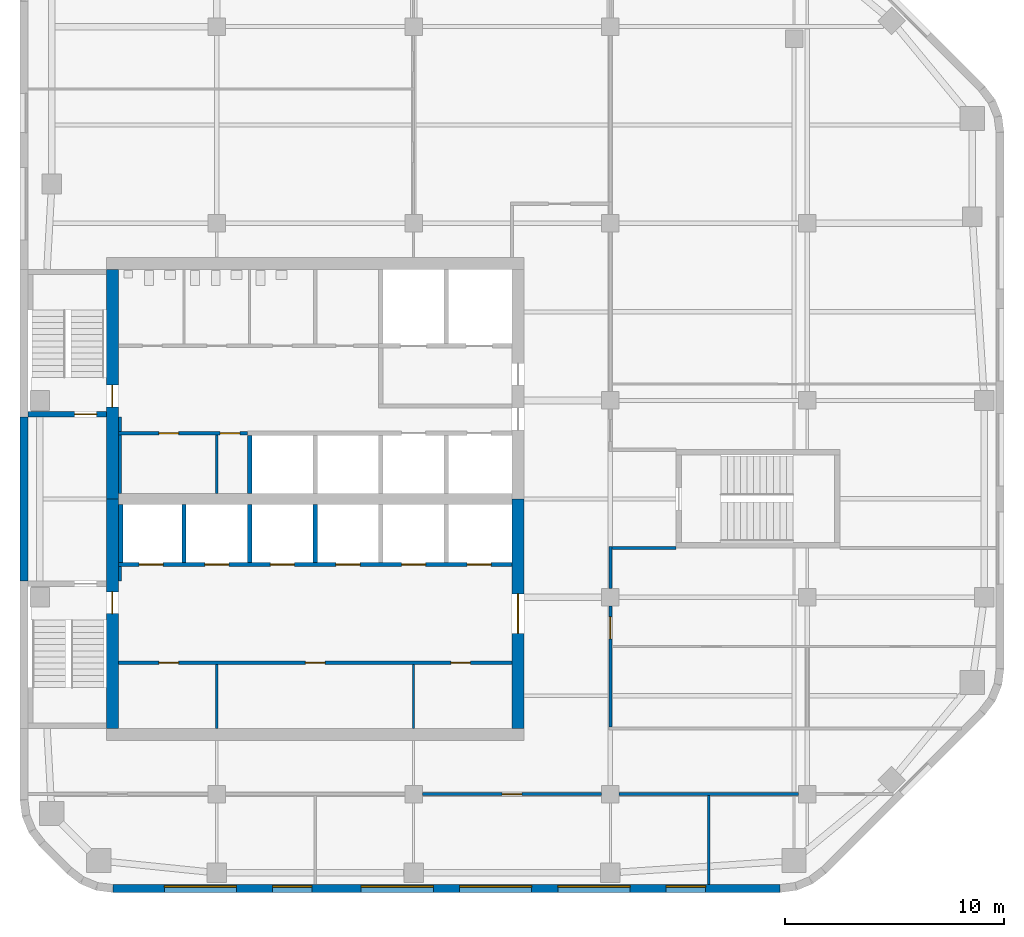
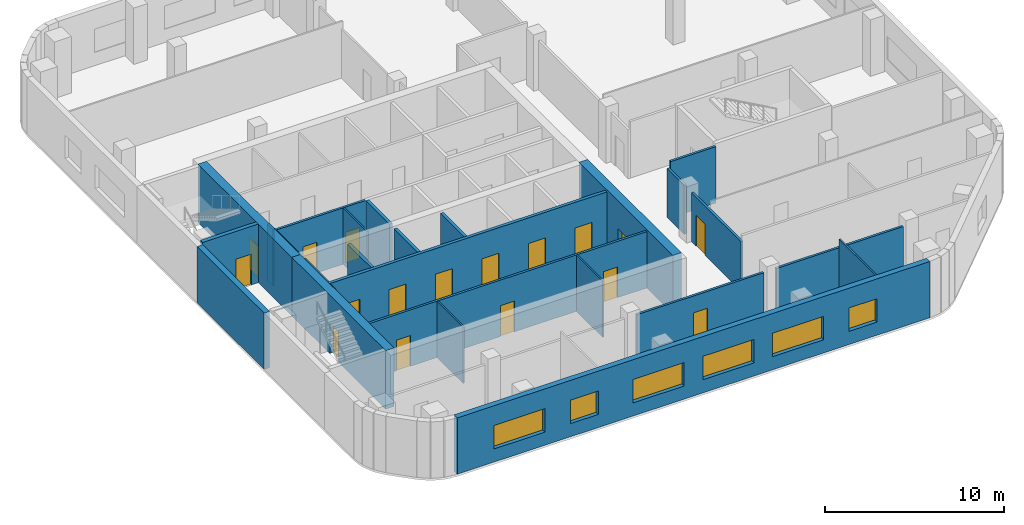
# One storey, part 3 of 7: 26 walls, 17 doors, 6 windows, 23 openings.
"""IFC4 building model written with IfcOpenShell, lengths in metres."""

from ifc_helpers import new_model, si_unit, direction, frame, frame_2d, origin, place, context, subcontext, project, spatial, rectangle, extrude, material, layer, layer_set, type_object, element, fill, save


model = new_model("IFC4")

# Units and contexts
model_context = context("Model", 3, precision=1e-05, world=origin(), true_north=direction((0.0, 1.0)))
body_context = subcontext(model_context, "Body", "Model", "MODEL_VIEW")
ifc_project = project(units=[si_unit("LENGTHUNIT", "METRE"), si_unit("AREAUNIT", "SQUARE_METRE"), si_unit("VOLUMEUNIT", "CUBIC_METRE"), si_unit("PLANEANGLEUNIT", "RADIAN"), si_unit("MASSUNIT", "GRAM", prefix="KILO")], contexts=[model_context])

# Site, building, storey
site_placement = place(None, origin())
site = spatial("IfcSite", under=ifc_project, at=site_placement, CompositionType="ELEMENT")
building_placement = place(site_placement, origin())
building = spatial("IfcBuilding", under=site, at=building_placement, Name="Cinnabar Reach Civic Tower", CompositionType="ELEMENT")
storey_placement = place(building_placement, frame((0.0, 0.0, 218.0)))
storey = spatial("IfcBuildingStorey", under=building, at=storey_placement, Name="L52", CompositionType="ELEMENT", Elevation=218.0)

# Wall, openings, windows
ifc_material_1 = material(Name="Facing brick with insulated backing", Category="masonry")
ifc_layer_1 = layer(ifc_material_1, 0.36)
ifc_layer_set_1 = layer_set([ifc_layer_1], Name="Brick pier and spandrel wall")
wall_type_1 = type_object("IfcWallType", Name="Brick pier and spandrel wall", PredefinedType="STANDARD", material=ifc_layer_set_1)
wall_1_placement = place(storey_placement, frame((4.2426, 13.68, 0.0), z_axis=(0.0, 0.0, 1.0), x_axis=(1.0, 0.0, 0.0)))
wall_1 = element("IfcWall", 1, at=wall_1_placement, inside=storey, type_object=wall_type_1, Name="Brick facade wall", PredefinedType="STANDARD", context=body_context, shape_type="SweptSolid", body=[
    extrude(rectangle(XDim=30.5148, YDim=0.36, at=frame_2d((15.2574, 0.0))), origin(), (0.0, 0.0, 1.0), 3.85),
])
opening_1_placement = place(wall_1_placement, frame((2.3574, 0.0, 0.9)))
opening_1 = element("IfcOpeningElement", 2, at=opening_1_placement, cuts=wall_1, Name="Opening W2060", PredefinedType="OPENING", context=body_context, shape_type="SweptSolid", body=[
    extrude(rectangle(XDim=3.3, YDim=1.6, at=frame_2d((1.65, 0.8))), frame((0.0, 0.19, 0.0), z_axis=(0.0, -1.0, 0.0), x_axis=(1.0, 0.0, 0.0)), (0.0, 0.0, 1.0), 0.38),
])
opening_2_placement = place(wall_1_placement, frame((7.3074, 0.0, 0.9)))
opening_2 = element("IfcOpeningElement", 3, at=opening_2_placement, cuts=wall_1, Name="Opening W2061", PredefinedType="OPENING", context=body_context, shape_type="SweptSolid", body=[
    extrude(rectangle(XDim=1.8, YDim=1.6, at=frame_2d((0.9, 0.8))), frame((0.0, 0.19, 0.0), z_axis=(0.0, -1.0, 0.0), x_axis=(1.0, 0.0, 0.0)), (0.0, 0.0, 1.0), 0.38),
])
opening_3_placement = place(wall_1_placement, frame((11.3574, 0.0, 0.9)))
opening_3 = element("IfcOpeningElement", 4, at=opening_3_placement, cuts=wall_1, Name="Opening W2062", PredefinedType="OPENING", context=body_context, shape_type="SweptSolid", body=[
    extrude(rectangle(XDim=3.3, YDim=1.6, at=frame_2d((1.65, 0.8))), frame((0.0, 0.19, 0.0), z_axis=(0.0, -1.0, 0.0), x_axis=(1.0, 0.0, 0.0)), (0.0, 0.0, 1.0), 0.38),
])
opening_4_placement = place(wall_1_placement, frame((15.8574, 0.0, 0.9)))
opening_4 = element("IfcOpeningElement", 5, at=opening_4_placement, cuts=wall_1, Name="Opening W2063", PredefinedType="OPENING", context=body_context, shape_type="SweptSolid", body=[
    extrude(rectangle(XDim=3.3, YDim=1.6, at=frame_2d((1.65, 0.8))), frame((0.0, 0.19, 0.0), z_axis=(0.0, -1.0, 0.0), x_axis=(1.0, 0.0, 0.0)), (0.0, 0.0, 1.0), 0.38),
])
opening_5_placement = place(wall_1_placement, frame((20.3574, 0.0, 0.9)))
opening_5 = element("IfcOpeningElement", 6, at=opening_5_placement, cuts=wall_1, Name="Opening W2064", PredefinedType="OPENING", context=body_context, shape_type="SweptSolid", body=[
    extrude(rectangle(XDim=3.3, YDim=1.6, at=frame_2d((1.65, 0.8))), frame((0.0, 0.19, 0.0), z_axis=(0.0, -1.0, 0.0), x_axis=(1.0, 0.0, 0.0)), (0.0, 0.0, 1.0), 0.38),
])
opening_6_placement = place(wall_1_placement, frame((25.3074, 0.0, 0.9)))
opening_6 = element("IfcOpeningElement", 7, at=opening_6_placement, cuts=wall_1, Name="Opening W2065", PredefinedType="OPENING", context=body_context, shape_type="SweptSolid", body=[
    extrude(rectangle(XDim=1.8, YDim=1.6, at=frame_2d((0.9, 0.8))), frame((0.0, 0.19, 0.0), z_axis=(0.0, -1.0, 0.0), x_axis=(1.0, 0.0, 0.0)), (0.0, 0.0, 1.0), 0.38),
])
ifc_material_2 = material(Name="Clear double glazing in aluminium frame", Category="aluminium")
window_type_1 = type_object("IfcWindowType", Name="Deep-set window A", PartitioningType="SINGLE_PANEL", PredefinedType="WINDOW", material=ifc_material_2)
window_1_placement = place(opening_1_placement, origin())
window_1 = element("IfcWindow", 8, at=window_1_placement, inside=storey, type_object=window_type_1, Name="Window south face", OverallHeight=1.6, OverallWidth=3.3, PartitioningType="SINGLE_PANEL", PredefinedType="WINDOW", context=body_context, shape_type="SweptSolid", body=[
    extrude(rectangle(XDim=3.3, YDim=1.6, at=frame_2d((1.65, 0.8))), frame((0.0, 0.13, 0.0), z_axis=(0.0, -1.0, 0.0), x_axis=(1.0, 0.0, 0.0)), (0.0, 0.0, 1.0), 0.06),
])
fill(opening_1, window_1)
window_2_placement = place(opening_3_placement, origin())
window_2 = element("IfcWindow", 9, at=window_2_placement, inside=storey, type_object=window_type_1, Name="Window south face", OverallHeight=1.6, OverallWidth=3.3, PartitioningType="SINGLE_PANEL", PredefinedType="WINDOW", context=body_context, shape_type="SweptSolid", body=[
    extrude(rectangle(XDim=3.3, YDim=1.6, at=frame_2d((1.65, 0.8))), frame((0.0, 0.13, 0.0), z_axis=(0.0, -1.0, 0.0), x_axis=(1.0, 0.0, 0.0)), (0.0, 0.0, 1.0), 0.06),
])
fill(opening_3, window_2)
window_3_placement = place(opening_4_placement, origin())
window_3 = element("IfcWindow", 10, at=window_3_placement, inside=storey, type_object=window_type_1, Name="Window south face", OverallHeight=1.6, OverallWidth=3.3, PartitioningType="SINGLE_PANEL", PredefinedType="WINDOW", context=body_context, shape_type="SweptSolid", body=[
    extrude(rectangle(XDim=3.3, YDim=1.6, at=frame_2d((1.65, 0.8))), frame((0.0, 0.13, 0.0), z_axis=(0.0, -1.0, 0.0), x_axis=(1.0, 0.0, 0.0)), (0.0, 0.0, 1.0), 0.06),
])
fill(opening_4, window_3)
window_4_placement = place(opening_5_placement, origin())
window_4 = element("IfcWindow", 11, at=window_4_placement, inside=storey, type_object=window_type_1, Name="Window south face", OverallHeight=1.6, OverallWidth=3.3, PartitioningType="SINGLE_PANEL", PredefinedType="WINDOW", context=body_context, shape_type="SweptSolid", body=[
    extrude(rectangle(XDim=3.3, YDim=1.6, at=frame_2d((1.65, 0.8))), frame((0.0, 0.13, 0.0), z_axis=(0.0, -1.0, 0.0), x_axis=(1.0, 0.0, 0.0)), (0.0, 0.0, 1.0), 0.06),
])
fill(opening_5, window_4)
window_type_2 = type_object("IfcWindowType", Name="Deep-set window D", PartitioningType="SINGLE_PANEL", PredefinedType="WINDOW", material=ifc_material_2)
window_5_placement = place(opening_2_placement, origin())
window_5 = element("IfcWindow", 12, at=window_5_placement, inside=storey, type_object=window_type_2, Name="Window south face", OverallHeight=1.6, OverallWidth=1.8, PartitioningType="SINGLE_PANEL", PredefinedType="WINDOW", context=body_context, shape_type="SweptSolid", body=[
    extrude(rectangle(XDim=1.8, YDim=1.6, at=frame_2d((0.9, 0.8))), frame((0.0, 0.13, 0.0), z_axis=(0.0, -1.0, 0.0), x_axis=(1.0, 0.0, 0.0)), (0.0, 0.0, 1.0), 0.06),
])
fill(opening_2, window_5)
window_6_placement = place(opening_6_placement, origin())
window_6 = element("IfcWindow", 13, at=window_6_placement, inside=storey, type_object=window_type_2, Name="Window south face", OverallHeight=1.6, OverallWidth=1.8, PartitioningType="SINGLE_PANEL", PredefinedType="WINDOW", context=body_context, shape_type="SweptSolid", body=[
    extrude(rectangle(XDim=1.8, YDim=1.6, at=frame_2d((0.9, 0.8))), frame((0.0, 0.13, 0.0), z_axis=(0.0, -1.0, 0.0), x_axis=(1.0, 0.0, 0.0)), (0.0, 0.0, 1.0), 0.06),
])
fill(opening_6, window_6)

# Wall
wall_2_placement = place(storey_placement, frame((0.18, 35.25, 0.0), z_axis=(0.0, 0.0, 1.0), x_axis=(0.0, -1.0, 0.0)))
element("IfcWall", 14, at=wall_2_placement, inside=storey, type_object=wall_type_1, Name="Brick facade wall", PredefinedType="STANDARD", context=body_context, shape_type="SweptSolid", body=[
    extrude(rectangle(XDim=7.5, YDim=0.36, at=frame_2d((3.75, 0.0))), origin(), (0.0, 0.0, 1.0), 3.85),
])

# Wall, opening, door
ifc_material_3 = material(Name="Concrete C60", Category="concrete")
ifc_layer_2 = layer(ifc_material_3, 0.55)
ifc_layer_set_2 = layer_set([ifc_layer_2], Name="Core wall 550 EI 180")
wall_type_2 = type_object("IfcWallType", Name="Core wall 550 EI 180", PredefinedType="SOLIDWALL", material=ifc_layer_set_2)
wall_3_placement = place(storey_placement, frame((22.775, 21.0, 0.0), z_axis=(0.0, 0.0, 1.0), x_axis=(0.0, 1.0, 0.0)))
wall_3 = element("IfcWall", 15, at=wall_3_placement, inside=storey, type_object=wall_type_2, Name="Core wall T1 L52 E", PredefinedType="SOLIDWALL", context=body_context, shape_type="SweptSolid", body=[
    extrude(rectangle(XDim=10.5, YDim=0.55, at=frame_2d((5.25, 0.0))), origin(), (0.0, 0.0, 1.0), 4.0),
])
opening_7_placement = place(wall_3_placement, frame((4.35, 0.0, 0.0)))
opening_7 = element("IfcOpeningElement", 16, at=opening_7_placement, cuts=wall_3, Name="Opening D5123", PredefinedType="OPENING", context=body_context, shape_type="SweptSolid", body=[
    extrude(rectangle(XDim=1.8, YDim=2.1, at=frame_2d((0.9, 1.05))), frame((0.0, 0.285, 0.0), z_axis=(0.0, -1.0, 0.0), x_axis=(1.0, 0.0, 0.0)), (0.0, 0.0, 1.0), 0.57),
])
ifc_material_4 = material(Name="Timber door leaf in steel frame", Category="steel")
door_type_1 = type_object("IfcDoorType", Name="Double swing door 1800 x 2100 T1", OperationType="DOUBLE_DOOR_DOUBLE_SWING", PredefinedType="DOOR", material=ifc_material_4)
door_1_placement = place(opening_7_placement, origin())
door_1 = element("IfcDoor", 17, at=door_1_placement, inside=storey, type_object=door_type_1, Name="Door D5123", OperationType="DOUBLE_DOOR_DOUBLE_SWING", OverallHeight=2.1, OverallWidth=1.8, PredefinedType="DOOR", context=body_context, shape_type="SweptSolid", body=[
    extrude(rectangle(XDim=1.8, YDim=2.1, at=frame_2d((0.9, 1.05))), frame((0.0, 0.025, 0.0), z_axis=(0.0, -1.0, 0.0), x_axis=(1.0, 0.0, 0.0)), (0.0, 0.0, 1.0), 0.05),
])
fill(opening_7, door_1)

wall_4_placement = place(storey_placement, frame((4.225, 42.0, 0.0), z_axis=(0.0, 0.0, 1.0), x_axis=(0.0, -1.0, 0.0)))
wall_4 = element("IfcWall", 18, at=wall_4_placement, inside=storey, type_object=wall_type_2, Name="Core wall T1 L52 W", PredefinedType="SOLIDWALL", context=body_context, shape_type="SweptSolid", body=[
    extrude(rectangle(XDim=10.5, YDim=0.55, at=frame_2d((5.25, 0.0))), origin(), (0.0, 0.0, 1.0), 4.0),
])
opening_8_placement = place(wall_4_placement, frame((5.3, 0.0, 0.0)))
opening_8 = element("IfcOpeningElement", 19, at=opening_8_placement, cuts=wall_4, Name="Opening D5111", PredefinedType="OPENING", context=body_context, shape_type="SweptSolid", body=[
    extrude(rectangle(XDim=1.0, YDim=2.1, at=frame_2d((0.5, 1.05))), frame((0.0, 0.285, 0.0), z_axis=(0.0, -1.0, 0.0), x_axis=(1.0, 0.0, 0.0)), (0.0, 0.0, 1.0), 0.57),
])
door_type_2 = type_object("IfcDoorType", Name="Stair door 1000 x 2100 T1", OperationType="SINGLE_SWING_LEFT", PredefinedType="DOOR", material=ifc_material_4)
door_2_placement = place(opening_8_placement, frame((1.0, 0.0, 0.0), z_axis=(0.0, 0.0, 1.0), x_axis=(-1.0, 0.0, 0.0)))
door_2 = element("IfcDoor", 20, at=door_2_placement, inside=storey, type_object=door_type_2, Name="Door D5111", OperationType="SINGLE_SWING_LEFT", OverallHeight=2.1, OverallWidth=1.0, PredefinedType="DOOR", context=body_context, shape_type="SweptSolid", body=[
    extrude(rectangle(XDim=1.0, YDim=2.1, at=frame_2d((0.5, 1.05))), frame((0.0, 0.025, 0.0), z_axis=(0.0, -1.0, 0.0), x_axis=(1.0, 0.0, 0.0)), (0.0, 0.0, 1.0), 0.05),
])
fill(opening_8, door_2)

wall_5_placement = place(storey_placement, frame((4.225, 31.5, 0.0), z_axis=(0.0, 0.0, 1.0), x_axis=(0.0, -1.0, 0.0)))
wall_5 = element("IfcWall", 21, at=wall_5_placement, inside=storey, type_object=wall_type_2, Name="Core wall T1 L52 W2", PredefinedType="SOLIDWALL", context=body_context, shape_type="SweptSolid", body=[
    extrude(rectangle(XDim=10.5, YDim=0.55, at=frame_2d((5.25, 0.0))), origin(), (0.0, 0.0, 1.0), 4.0),
])
opening_9_placement = place(wall_5_placement, frame((4.25, 0.0, 0.0)))
opening_9 = element("IfcOpeningElement", 22, at=opening_9_placement, cuts=wall_5, Name="Opening D5109", PredefinedType="OPENING", context=body_context, shape_type="SweptSolid", body=[
    extrude(rectangle(XDim=1.0, YDim=2.1, at=frame_2d((0.5, 1.05))), frame((0.0, 0.285, 0.0), z_axis=(0.0, -1.0, 0.0), x_axis=(1.0, 0.0, 0.0)), (0.0, 0.0, 1.0), 0.57),
])
door_3_placement = place(opening_9_placement, frame((1.0, 0.0, 0.0), z_axis=(0.0, 0.0, 1.0), x_axis=(-1.0, 0.0, 0.0)))
door_3 = element("IfcDoor", 23, at=door_3_placement, inside=storey, type_object=door_type_2, Name="Door D5109", OperationType="SINGLE_SWING_RIGHT", OverallHeight=2.1, OverallWidth=1.0, PredefinedType="DOOR", context=body_context, shape_type="SweptSolid", body=[
    extrude(rectangle(XDim=1.0, YDim=2.1, at=frame_2d((0.5, 1.05))), frame((0.0, 0.025, 0.0), z_axis=(0.0, -1.0, 0.0), x_axis=(1.0, 0.0, 0.0)), (0.0, 0.0, 1.0), 0.05),
])
fill(opening_9, door_3)

# Wall
ifc_material_5 = material(Name="Gypsum board on steel studs, double layer", Category="steel")
ifc_layer_3 = layer(ifc_material_5, 0.15)
ifc_layer_set_3 = layer_set([ifc_layer_3], Name="Corridor wall 150 T1")
wall_type_3 = type_object("IfcWallType", Name="Corridor wall 150 T1", PredefinedType="PARTITIONING", material=ifc_layer_set_3)
wall_6_placement = place(storey_placement, frame((27.4, 18.0, 0.0), z_axis=(0.0, 0.0, 1.0), x_axis=(1.0, 0.0, 0.0)))
element("IfcWall", 24, at=wall_6_placement, inside=storey, type_object=wall_type_3, Name="Corridor wall 19", PredefinedType="PARTITIONING", context=body_context, shape_type="SweptSolid", body=[
    extrude(rectangle(XDim=8.2, YDim=0.15, at=frame_2d((4.1, 0.0))), origin(), (0.0, 0.0, 1.0), 3.254),
])

# Wall, opening, door
wall_7_placement = place(storey_placement, frame((18.4, 18.0, 0.0), z_axis=(0.0, 0.0, 1.0), x_axis=(1.0, 0.0, 0.0)))
wall_7 = element("IfcWall", 25, at=wall_7_placement, inside=storey, type_object=wall_type_3, Name="Corridor wall 20", PredefinedType="PARTITIONING", context=body_context, shape_type="SweptSolid", body=[
    extrude(rectangle(XDim=8.2, YDim=0.15, at=frame_2d((4.1, 0.0))), origin(), (0.0, 0.0, 1.0), 3.254),
])
opening_10_placement = place(wall_7_placement, frame((3.65, 0.0, 0.0)))
opening_10 = element("IfcOpeningElement", 26, at=opening_10_placement, cuts=wall_7, Name="Opening D5142", PredefinedType="OPENING", context=body_context, shape_type="SweptSolid", body=[
    extrude(rectangle(XDim=0.9, YDim=2.1, at=frame_2d((0.45, 1.05))), frame((0.0, 0.085, 0.0), z_axis=(0.0, -1.0, 0.0), x_axis=(1.0, 0.0, 0.0)), (0.0, 0.0, 1.0), 0.17),
])
door_type_3 = type_object("IfcDoorType", Name="Single swing door 900 x 2100 corridor T1", OperationType="SINGLE_SWING_LEFT", PredefinedType="DOOR", material=ifc_material_4)
door_4_placement = place(opening_10_placement, frame((0.9, 0.0, 0.0), z_axis=(0.0, 0.0, 1.0), x_axis=(-1.0, 0.0, 0.0)))
door_4 = element("IfcDoor", 27, at=door_4_placement, inside=storey, type_object=door_type_3, Name="Door D5142", OperationType="SINGLE_SWING_RIGHT", OverallHeight=2.1, OverallWidth=0.9, PredefinedType="DOOR", context=body_context, shape_type="SweptSolid", body=[
    extrude(rectangle(XDim=0.9, YDim=2.1, at=frame_2d((0.45, 1.05))), frame((0.0, 0.025, 0.0), z_axis=(0.0, -1.0, 0.0), x_axis=(1.0, 0.0, 0.0)), (0.0, 0.0, 1.0), 0.05),
])
fill(opening_10, door_4)

# Wall, openings, doors
wall_8_placement = place(storey_placement, frame((4.5, 24.0, 0.0), z_axis=(0.0, 0.0, 1.0), x_axis=(1.0, 0.0, 0.0)))
wall_8 = element("IfcWall", 28, at=wall_8_placement, inside=storey, type_object=wall_type_3, Name="Corridor wall 23", PredefinedType="PARTITIONING", context=body_context, shape_type="SweptSolid", body=[
    extrude(rectangle(XDim=18.0, YDim=0.15, at=frame_2d((9.0, 0.0))), origin(), (0.0, 0.0, 1.0), 3.85),
])
opening_11_placement = place(wall_8_placement, frame((1.85, 0.0, 0.0)))
opening_11 = element("IfcOpeningElement", 29, at=opening_11_placement, cuts=wall_8, Name="Opening D5127", PredefinedType="OPENING", context=body_context, shape_type="SweptSolid", body=[
    extrude(rectangle(XDim=0.9, YDim=2.1, at=frame_2d((0.45, 1.05))), frame((0.0, 0.085, 0.0), z_axis=(0.0, -1.0, 0.0), x_axis=(1.0, 0.0, 0.0)), (0.0, 0.0, 1.0), 0.17),
])
opening_12_placement = place(wall_8_placement, frame((8.55, 0.0, 0.0)))
opening_12 = element("IfcOpeningElement", 30, at=opening_12_placement, cuts=wall_8, Name="Opening D5128", PredefinedType="OPENING", context=body_context, shape_type="SweptSolid", body=[
    extrude(rectangle(XDim=0.9, YDim=2.1, at=frame_2d((0.45, 1.05))), frame((0.0, 0.085, 0.0), z_axis=(0.0, -1.0, 0.0), x_axis=(1.0, 0.0, 0.0)), (0.0, 0.0, 1.0), 0.17),
])
opening_13_placement = place(wall_8_placement, frame((15.2, 0.0, 0.0)))
opening_13 = element("IfcOpeningElement", 31, at=opening_13_placement, cuts=wall_8, Name="Opening D5129", PredefinedType="OPENING", context=body_context, shape_type="SweptSolid", body=[
    extrude(rectangle(XDim=0.9, YDim=2.1, at=frame_2d((0.45, 1.05))), frame((0.0, 0.085, 0.0), z_axis=(0.0, -1.0, 0.0), x_axis=(1.0, 0.0, 0.0)), (0.0, 0.0, 1.0), 0.17),
])
door_5_placement = place(opening_11_placement, frame((0.9, 0.0, 0.0), z_axis=(0.0, 0.0, 1.0), x_axis=(-1.0, 0.0, 0.0)))
door_5 = element("IfcDoor", 32, at=door_5_placement, inside=storey, type_object=door_type_3, Name="Door D5127", OperationType="SINGLE_SWING_RIGHT", OverallHeight=2.1, OverallWidth=0.9, PredefinedType="DOOR", context=body_context, shape_type="SweptSolid", body=[
    extrude(rectangle(XDim=0.9, YDim=2.1, at=frame_2d((0.45, 1.05))), frame((0.0, 0.025, 0.0), z_axis=(0.0, -1.0, 0.0), x_axis=(1.0, 0.0, 0.0)), (0.0, 0.0, 1.0), 0.05),
])
fill(opening_11, door_5)
door_6_placement = place(opening_12_placement, frame((0.9, 0.0, 0.0), z_axis=(0.0, 0.0, 1.0), x_axis=(-1.0, 0.0, 0.0)))
door_6 = element("IfcDoor", 33, at=door_6_placement, inside=storey, type_object=door_type_3, Name="Door D5128", OperationType="SINGLE_SWING_RIGHT", OverallHeight=2.1, OverallWidth=0.9, PredefinedType="DOOR", context=body_context, shape_type="SweptSolid", body=[
    extrude(rectangle(XDim=0.9, YDim=2.1, at=frame_2d((0.45, 1.05))), frame((0.0, 0.025, 0.0), z_axis=(0.0, -1.0, 0.0), x_axis=(1.0, 0.0, 0.0)), (0.0, 0.0, 1.0), 0.05),
])
fill(opening_12, door_6)
door_7_placement = place(opening_13_placement, frame((0.9, 0.0, 0.0), z_axis=(0.0, 0.0, 1.0), x_axis=(-1.0, 0.0, 0.0)))
door_7 = element("IfcDoor", 34, at=door_7_placement, inside=storey, type_object=door_type_3, Name="Door D5129", OperationType="SINGLE_SWING_LEFT", OverallHeight=2.1, OverallWidth=0.9, PredefinedType="DOOR", context=body_context, shape_type="SweptSolid", body=[
    extrude(rectangle(XDim=0.9, YDim=2.1, at=frame_2d((0.45, 1.05))), frame((0.0, 0.025, 0.0), z_axis=(0.0, -1.0, 0.0), x_axis=(1.0, 0.0, 0.0)), (0.0, 0.0, 1.0), 0.05),
])
fill(opening_13, door_7)

# Wall, opening, door
wall_9_placement = place(storey_placement, frame((27.0, 21.075, 0.0), z_axis=(0.0, 0.0, 1.0), x_axis=(0.0, 1.0, 0.0)))
wall_9 = element("IfcWall", 35, at=wall_9_placement, inside=storey, type_object=wall_type_3, Name="Corridor wall 29", PredefinedType="PARTITIONING", context=body_context, shape_type="SweptSolid", body=[
    extrude(rectangle(XDim=5.525, YDim=0.15, at=frame_2d((2.7625, 0.0))), origin(), (0.0, 0.0, 1.0), 3.35),
])
opening_14_placement = place(wall_9_placement, frame((4.025, 0.0, 0.0)))
opening_14 = element("IfcOpeningElement", 36, at=opening_14_placement, cuts=wall_9, Name="Opening D5138", PredefinedType="OPENING", context=body_context, shape_type="SweptSolid", body=[
    extrude(rectangle(XDim=1.0, YDim=2.1, at=frame_2d((0.5, 1.05))), frame((0.0, 0.085, 0.0), z_axis=(0.0, -1.0, 0.0), x_axis=(1.0, 0.0, 0.0)), (0.0, 0.0, 1.0), 0.17),
])
door_type_4 = type_object("IfcDoorType", Name="Tenancy entrance door 1000 x 2100 T1", OperationType="SINGLE_SWING_LEFT", PredefinedType="DOOR", material=ifc_material_4)
door_8_placement = place(opening_14_placement, frame((1.0, 0.0, 0.0), z_axis=(0.0, 0.0, 1.0), x_axis=(-1.0, 0.0, 0.0)))
door_8 = element("IfcDoor", 37, at=door_8_placement, inside=storey, type_object=door_type_4, Name="Door D5138", OperationType="SINGLE_SWING_RIGHT", OverallHeight=2.1, OverallWidth=1.0, PredefinedType="DOOR", context=body_context, shape_type="SweptSolid", body=[
    extrude(rectangle(XDim=1.0, YDim=2.1, at=frame_2d((0.5, 1.05))), frame((0.0, 0.025, 0.0), z_axis=(0.0, -1.0, 0.0), x_axis=(1.0, 0.0, 0.0)), (0.0, 0.0, 1.0), 0.05),
])
fill(opening_14, door_8)

# Wall
wall_10_placement = place(storey_placement, frame((27.0, 27.4, 0.0), z_axis=(0.0, 0.0, 1.0), x_axis=(0.0, 1.0, 0.0)))
element("IfcWall", 38, at=wall_10_placement, inside=storey, type_object=wall_type_3, Name="Corridor wall 30", PredefinedType="PARTITIONING", context=body_context, shape_type="SweptSolid", body=[
    extrude(rectangle(XDim=1.925, YDim=0.15, at=frame_2d((0.9625, 0.0))), origin(), (0.0, 0.0, 1.0), 3.35),
])

# Wall, openings, doors
wall_11_placement = place(storey_placement, frame((4.5, 34.5, 0.0), z_axis=(0.0, 0.0, 1.0), x_axis=(1.0, 0.0, 0.0)))
wall_11 = element("IfcWall", 39, at=wall_11_placement, inside=storey, type_object=wall_type_3, Name="Corridor wall 31", PredefinedType="PARTITIONING", context=body_context, shape_type="SweptSolid", body=[
    extrude(rectangle(XDim=5.9, YDim=0.15, at=frame_2d((2.95, 0.0))), origin(), (0.0, 0.0, 1.0), 3.85),
])
opening_15_placement = place(wall_11_placement, frame((1.85, 0.0, 0.0)))
opening_15 = element("IfcOpeningElement", 40, at=opening_15_placement, cuts=wall_11, Name="Opening D5130", PredefinedType="OPENING", context=body_context, shape_type="SweptSolid", body=[
    extrude(rectangle(XDim=0.9, YDim=2.1, at=frame_2d((0.45, 1.05))), frame((0.0, 0.085, 0.0), z_axis=(0.0, -1.0, 0.0), x_axis=(1.0, 0.0, 0.0)), (0.0, 0.0, 1.0), 0.17),
])
opening_16_placement = place(wall_11_placement, frame((4.65, 0.0, 0.0)))
opening_16 = element("IfcOpeningElement", 41, at=opening_16_placement, cuts=wall_11, Name="Opening D5131", PredefinedType="OPENING", context=body_context, shape_type="SweptSolid", body=[
    extrude(rectangle(XDim=0.9, YDim=2.1, at=frame_2d((0.45, 1.05))), frame((0.0, 0.085, 0.0), z_axis=(0.0, -1.0, 0.0), x_axis=(1.0, 0.0, 0.0)), (0.0, 0.0, 1.0), 0.17),
])
door_9_placement = place(opening_15_placement, frame((0.9, 0.0, 0.0), z_axis=(0.0, 0.0, 1.0), x_axis=(-1.0, 0.0, 0.0)))
door_9 = element("IfcDoor", 42, at=door_9_placement, inside=storey, type_object=door_type_3, Name="Door D5130", OperationType="SINGLE_SWING_LEFT", OverallHeight=2.1, OverallWidth=0.9, PredefinedType="DOOR", context=body_context, shape_type="SweptSolid", body=[
    extrude(rectangle(XDim=0.9, YDim=2.1, at=frame_2d((0.45, 1.05))), frame((0.0, 0.025, 0.0), z_axis=(0.0, -1.0, 0.0), x_axis=(1.0, 0.0, 0.0)), (0.0, 0.0, 1.0), 0.05),
])
fill(opening_15, door_9)
door_10_placement = place(opening_16_placement, frame((0.9, 0.0, 0.0), z_axis=(0.0, 0.0, 1.0), x_axis=(-1.0, 0.0, 0.0)))
door_10 = element("IfcDoor", 43, at=door_10_placement, inside=storey, type_object=door_type_3, Name="Door D5131", OperationType="SINGLE_SWING_RIGHT", OverallHeight=2.1, OverallWidth=0.9, PredefinedType="DOOR", context=body_context, shape_type="SweptSolid", body=[
    extrude(rectangle(XDim=0.9, YDim=2.1, at=frame_2d((0.45, 1.05))), frame((0.0, 0.025, 0.0), z_axis=(0.0, -1.0, 0.0), x_axis=(1.0, 0.0, 0.0)), (0.0, 0.0, 1.0), 0.05),
])
fill(opening_16, door_10)

# Walls
wall_12_placement = place(storey_placement, frame((4.575, 34.575, 0.0), z_axis=(0.0, 0.0, 1.0), x_axis=(0.0, 1.0, 0.0)))
element("IfcWall", 44, at=wall_12_placement, inside=storey, type_object=wall_type_3, Name="Corridor wall 33", PredefinedType="PARTITIONING", context=body_context, shape_type="SweptSolid", body=[
    extrude(rectangle(XDim=0.675, YDim=0.15, at=frame_2d((0.3375, 0.0))), origin(), (0.0, 0.0, 1.0), 3.85),
])
wall_13_placement = place(storey_placement, frame((4.575, 31.75, 0.0), z_axis=(0.0, 0.0, 1.0), x_axis=(0.0, 1.0, 0.0)))
element("IfcWall", 45, at=wall_13_placement, inside=storey, type_object=wall_type_3, Name="Corridor wall 34", PredefinedType="PARTITIONING", context=body_context, shape_type="SweptSolid", body=[
    extrude(rectangle(XDim=2.675, YDim=0.15, at=frame_2d((1.3375, 0.0))), origin(), (0.0, 0.0, 1.0), 3.85),
])
wall_14_placement = place(storey_placement, frame((27.075, 29.25, 0.0), z_axis=(0.0, 0.0, 1.0), x_axis=(1.0, 0.0, 0.0)))
element("IfcWall", 46, at=wall_14_placement, inside=storey, type_object=wall_type_3, Name="Corridor wall 35", PredefinedType="PARTITIONING", context=body_context, shape_type="SweptSolid", body=[
    extrude(rectangle(XDim=2.925, YDim=0.15, at=frame_2d((1.4625, 0.0))), origin(), (0.0, 0.0, 1.0), 3.85),
])
wall_15_placement = place(storey_placement, frame((4.575, 27.75, 0.0), z_axis=(0.0, 0.0, 1.0), x_axis=(0.0, 1.0, 0.0)))
element("IfcWall", 47, at=wall_15_placement, inside=storey, type_object=wall_type_3, Name="Corridor wall 38", PredefinedType="PARTITIONING", context=body_context, shape_type="SweptSolid", body=[
    extrude(rectangle(XDim=0.65, YDim=0.15, at=frame_2d((0.325, 0.0))), origin(), (0.0, 0.0, 1.0), 3.85),
])

# Wall, openings, doors
ifc_material_6 = material(Name="Blockwork", Category="masonry")
ifc_layer_4 = layer(ifc_material_6, 0.2)
ifc_layer_set_4 = layer_set([ifc_layer_4], Name="Lift shaft wall 200 T1")
wall_type_4 = type_object("IfcWallType", Name="Lift shaft wall 200 T1", PredefinedType="PARTITIONING", material=ifc_layer_set_4)
wall_16_placement = place(storey_placement, frame((4.5, 28.5, 0.0), z_axis=(0.0, 0.0, 1.0), x_axis=(1.0, 0.0, 0.0)))
wall_16 = element("IfcWall", 48, at=wall_16_placement, inside=storey, type_object=wall_type_4, Name="Lift shaft wall 4", PredefinedType="PARTITIONING", context=body_context, shape_type="SweptSolid", body=[
    extrude(rectangle(XDim=18.0, YDim=0.2, at=frame_2d((9.0, 0.0))), origin(), (0.0, 0.0, 1.0), 3.85),
])
opening_17_placement = place(wall_16_placement, frame((0.95, 0.0, 0.0)))
opening_17 = element("IfcOpeningElement", 49, at=opening_17_placement, cuts=wall_16, Name="Opening D5113", PredefinedType="OPENING", context=body_context, shape_type="SweptSolid", body=[
    extrude(rectangle(XDim=1.1, YDim=2.1, at=frame_2d((0.55, 1.05))), frame((0.0, 0.11, 0.0), z_axis=(0.0, -1.0, 0.0), x_axis=(1.0, 0.0, 0.0)), (0.0, 0.0, 1.0), 0.22),
])
opening_18_placement = place(wall_16_placement, frame((3.95, 0.0, 0.0)))
opening_18 = element("IfcOpeningElement", 50, at=opening_18_placement, cuts=wall_16, Name="Opening D5114", PredefinedType="OPENING", context=body_context, shape_type="SweptSolid", body=[
    extrude(rectangle(XDim=1.1, YDim=2.1, at=frame_2d((0.55, 1.05))), frame((0.0, 0.11, 0.0), z_axis=(0.0, -1.0, 0.0), x_axis=(1.0, 0.0, 0.0)), (0.0, 0.0, 1.0), 0.22),
])
opening_19_placement = place(wall_16_placement, frame((6.95, 0.0, 0.0)))
opening_19 = element("IfcOpeningElement", 51, at=opening_19_placement, cuts=wall_16, Name="Opening D5115", PredefinedType="OPENING", context=body_context, shape_type="SweptSolid", body=[
    extrude(rectangle(XDim=1.1, YDim=2.1, at=frame_2d((0.55, 1.05))), frame((0.0, 0.11, 0.0), z_axis=(0.0, -1.0, 0.0), x_axis=(1.0, 0.0, 0.0)), (0.0, 0.0, 1.0), 0.22),
])
opening_20_placement = place(wall_16_placement, frame((9.95, 0.0, 0.0)))
opening_20 = element("IfcOpeningElement", 52, at=opening_20_placement, cuts=wall_16, Name="Opening D5116", PredefinedType="OPENING", context=body_context, shape_type="SweptSolid", body=[
    extrude(rectangle(XDim=1.1, YDim=2.1, at=frame_2d((0.55, 1.05))), frame((0.0, 0.11, 0.0), z_axis=(0.0, -1.0, 0.0), x_axis=(1.0, 0.0, 0.0)), (0.0, 0.0, 1.0), 0.22),
])
opening_21_placement = place(wall_16_placement, frame((12.95, 0.0, 0.0)))
opening_21 = element("IfcOpeningElement", 53, at=opening_21_placement, cuts=wall_16, Name="Opening D5117", PredefinedType="OPENING", context=body_context, shape_type="SweptSolid", body=[
    extrude(rectangle(XDim=1.1, YDim=2.1, at=frame_2d((0.55, 1.05))), frame((0.0, 0.11, 0.0), z_axis=(0.0, -1.0, 0.0), x_axis=(1.0, 0.0, 0.0)), (0.0, 0.0, 1.0), 0.22),
])
opening_22_placement = place(wall_16_placement, frame((15.95, 0.0, 0.0)))
opening_22 = element("IfcOpeningElement", 54, at=opening_22_placement, cuts=wall_16, Name="Opening D5118", PredefinedType="OPENING", context=body_context, shape_type="SweptSolid", body=[
    extrude(rectangle(XDim=1.1, YDim=2.1, at=frame_2d((0.55, 1.05))), frame((0.0, 0.11, 0.0), z_axis=(0.0, -1.0, 0.0), x_axis=(1.0, 0.0, 0.0)), (0.0, 0.0, 1.0), 0.22),
])
ifc_material_7 = material(Name="Stainless steel sliding door", Category="steel")
door_type_5 = type_object("IfcDoorType", Name="Lift landing door 1100 x 2100 T1", OperationType="SLIDING_TO_LEFT", PredefinedType="DOOR", material=ifc_material_7)
door_11_placement = place(opening_17_placement, origin())
door_11 = element("IfcDoor", 55, at=door_11_placement, inside=storey, type_object=door_type_5, Name="Lift landing door HR1 L52", OperationType="SLIDING_TO_LEFT", OverallHeight=2.1, OverallWidth=1.1, PredefinedType="DOOR", context=body_context, shape_type="SweptSolid", body=[
    extrude(rectangle(XDim=1.1, YDim=2.1, at=frame_2d((0.55, 1.05))), frame((0.0, 0.025, 0.0), z_axis=(0.0, -1.0, 0.0), x_axis=(1.0, 0.0, 0.0)), (0.0, 0.0, 1.0), 0.05),
])
fill(opening_17, door_11)
door_12_placement = place(opening_18_placement, origin())
door_12 = element("IfcDoor", 56, at=door_12_placement, inside=storey, type_object=door_type_5, Name="Lift landing door HR2 L52", OperationType="SLIDING_TO_LEFT", OverallHeight=2.1, OverallWidth=1.1, PredefinedType="DOOR", context=body_context, shape_type="SweptSolid", body=[
    extrude(rectangle(XDim=1.1, YDim=2.1, at=frame_2d((0.55, 1.05))), frame((0.0, 0.025, 0.0), z_axis=(0.0, -1.0, 0.0), x_axis=(1.0, 0.0, 0.0)), (0.0, 0.0, 1.0), 0.05),
])
fill(opening_18, door_12)
door_13_placement = place(opening_19_placement, origin())
door_13 = element("IfcDoor", 57, at=door_13_placement, inside=storey, type_object=door_type_5, Name="Lift landing door HR3 L52", OperationType="SLIDING_TO_LEFT", OverallHeight=2.1, OverallWidth=1.1, PredefinedType="DOOR", context=body_context, shape_type="SweptSolid", body=[
    extrude(rectangle(XDim=1.1, YDim=2.1, at=frame_2d((0.55, 1.05))), frame((0.0, 0.025, 0.0), z_axis=(0.0, -1.0, 0.0), x_axis=(1.0, 0.0, 0.0)), (0.0, 0.0, 1.0), 0.05),
])
fill(opening_19, door_13)
door_14_placement = place(opening_20_placement, origin())
door_14 = element("IfcDoor", 58, at=door_14_placement, inside=storey, type_object=door_type_5, Name="Lift landing door HR4 L52", OperationType="SLIDING_TO_LEFT", OverallHeight=2.1, OverallWidth=1.1, PredefinedType="DOOR", context=body_context, shape_type="SweptSolid", body=[
    extrude(rectangle(XDim=1.1, YDim=2.1, at=frame_2d((0.55, 1.05))), frame((0.0, 0.025, 0.0), z_axis=(0.0, -1.0, 0.0), x_axis=(1.0, 0.0, 0.0)), (0.0, 0.0, 1.0), 0.05),
])
fill(opening_20, door_14)
door_15_placement = place(opening_21_placement, origin())
door_15 = element("IfcDoor", 59, at=door_15_placement, inside=storey, type_object=door_type_5, Name="Lift landing door HR5 L52", OperationType="SLIDING_TO_LEFT", OverallHeight=2.1, OverallWidth=1.1, PredefinedType="DOOR", context=body_context, shape_type="SweptSolid", body=[
    extrude(rectangle(XDim=1.1, YDim=2.1, at=frame_2d((0.55, 1.05))), frame((0.0, 0.025, 0.0), z_axis=(0.0, -1.0, 0.0), x_axis=(1.0, 0.0, 0.0)), (0.0, 0.0, 1.0), 0.05),
])
fill(opening_21, door_15)
door_16_placement = place(opening_22_placement, origin())
door_16 = element("IfcDoor", 60, at=door_16_placement, inside=storey, type_object=door_type_5, Name="Lift landing door HR6 L52", OperationType="SLIDING_TO_LEFT", OverallHeight=2.1, OverallWidth=1.1, PredefinedType="DOOR", context=body_context, shape_type="SweptSolid", body=[
    extrude(rectangle(XDim=1.1, YDim=2.1, at=frame_2d((0.55, 1.05))), frame((0.0, 0.025, 0.0), z_axis=(0.0, -1.0, 0.0), x_axis=(1.0, 0.0, 0.0)), (0.0, 0.0, 1.0), 0.05),
])
fill(opening_22, door_16)

# Walls
for number, where, z_axis, x_axis, name in (
    (61, (10.5, 28.6, 0.0), (0.0, 0.0, 1.0), (0.0, 1.0, 0.0), "Lift shaft wall 6"),
    (62, (10.5, 31.75, 0.0), (0.0, 0.0, 1.0), (0.0, 1.0, 0.0), "Lift shaft wall 7"),
    (63, (13.5, 28.6, 0.0), (0.0, 0.0, 1.0), (0.0, 1.0, 0.0), "Lift shaft wall 8"),
    (64, (4.6, 28.6, 0.0), (0.0, 0.0, 1.0), (0.0, 1.0, 0.0), "Lift shaft wall 16"),
    (65, (7.5, 28.6, 0.0), (0.0, 0.0, 1.0), (0.0, 1.0, 0.0), "Lift shaft wall 17"),
):
    element("IfcWall", number, at=place(storey_placement, frame(where, z_axis=z_axis, x_axis=x_axis)), inside=storey, type_object=wall_type_4, Name=name, PredefinedType="PARTITIONING", context=body_context, shape_type="SweptSolid", body=[
        extrude(rectangle(XDim=2.65, YDim=0.2, at=frame_2d((1.325, 0.0))), origin(), (0.0, 0.0, 1.0), 3.85),
    ])
ifc_material_8 = material(Name="Gypsum board on steel studs", Category="steel")
ifc_layer_5 = layer(ifc_material_8, 0.1)
ifc_layer_set_5 = layer_set([ifc_layer_5], Name="Partition wall 100 T1")
wall_type_5 = type_object("IfcWallType", Name="Partition wall 100 T1", PredefinedType="PARTITIONING", material=ifc_layer_set_5)
wall_17_placement = place(storey_placement, frame((31.5, 13.86, 0.0), z_axis=(0.0, 0.0, 1.0), x_axis=(0.0, 1.0, 0.0)))
element("IfcWall", 66, at=wall_17_placement, inside=storey, type_object=wall_type_5, Name="Partition wall 51", PredefinedType="PARTITIONING", context=body_context, shape_type="SweptSolid", body=[
    extrude(rectangle(XDim=4.065, YDim=0.1, at=frame_2d((2.0325, 0.0))), origin(), (0.0, 0.0, 1.0), 3.85),
])
wall_18_placement = place(storey_placement, frame((9.0, 21.0, 0.0), z_axis=(0.0, 0.0, 1.0), x_axis=(0.0, 1.0, 0.0)))
element("IfcWall", 67, at=wall_18_placement, inside=storey, type_object=wall_type_5, Name="Partition wall 55", PredefinedType="PARTITIONING", context=body_context, shape_type="SweptSolid", body=[
    extrude(rectangle(XDim=2.925, YDim=0.1, at=frame_2d((1.4625, 0.0))), origin(), (0.0, 0.0, 1.0), 3.85),
])
wall_19_placement = place(storey_placement, frame((9.0, 31.75, 0.0), z_axis=(0.0, 0.0, 1.0), x_axis=(0.0, 1.0, 0.0)))
element("IfcWall", 68, at=wall_19_placement, inside=storey, type_object=wall_type_5, Name="Partition wall 56", PredefinedType="PARTITIONING", context=body_context, shape_type="SweptSolid", body=[
    extrude(rectangle(XDim=2.675, YDim=0.1, at=frame_2d((1.3375, 0.0))), origin(), (0.0, 0.0, 1.0), 3.85),
])
wall_20_placement = place(storey_placement, frame((18.0, 21.0, 0.0), z_axis=(0.0, 0.0, 1.0), x_axis=(0.0, 1.0, 0.0)))
element("IfcWall", 69, at=wall_20_placement, inside=storey, type_object=wall_type_5, Name="Partition wall 57", PredefinedType="PARTITIONING", context=body_context, shape_type="SweptSolid", body=[
    extrude(rectangle(XDim=2.925, YDim=0.1, at=frame_2d((1.4625, 0.0))), origin(), (0.0, 0.0, 1.0), 3.85),
])

# Wall, opening, door
ifc_layer_6 = layer(ifc_material_3, 0.25)
ifc_layer_set_6 = layer_set([ifc_layer_6], Name="Stair shaft wall 250 EI 120")
wall_type_6 = type_object("IfcWallType", Name="Stair shaft wall 250 EI 120", PredefinedType="SOLIDWALL", material=ifc_layer_set_6)
wall_21_placement = place(storey_placement, frame((0.36, 35.375, 0.0), z_axis=(0.0, 0.0, 1.0), x_axis=(1.0, 0.0, 0.0)))
wall_21 = element("IfcWall", 70, at=wall_21_placement, inside=storey, type_object=wall_type_6, Name="Stair shaft wall T1-S2 L52", PredefinedType="SOLIDWALL", context=body_context, shape_type="SweptSolid", body=[
    extrude(rectangle(XDim=3.59, YDim=0.25, at=frame_2d((1.795, 0.0))), origin(), (0.0, 0.0, 1.0), 4.0),
])
opening_23_placement = place(wall_21_placement, frame((2.14, 0.0, 0.0)))
opening_23 = element("IfcOpeningElement", 71, at=opening_23_placement, cuts=wall_21, Name="Opening D5112", PredefinedType="OPENING", context=body_context, shape_type="SweptSolid", body=[
    extrude(rectangle(XDim=1.0, YDim=2.1, at=frame_2d((0.5, 1.05))), frame((0.0, 0.135, 0.0), z_axis=(0.0, -1.0, 0.0), x_axis=(1.0, 0.0, 0.0)), (0.0, 0.0, 1.0), 0.27),
])
door_17_placement = place(opening_23_placement, origin())
door_17 = element("IfcDoor", 72, at=door_17_placement, inside=storey, type_object=door_type_2, Name="Door D5112", OperationType="SINGLE_SWING_RIGHT", OverallHeight=2.1, OverallWidth=1.0, PredefinedType="DOOR", context=body_context, shape_type="SweptSolid", body=[
    extrude(rectangle(XDim=1.0, YDim=2.1, at=frame_2d((0.5, 1.05))), frame((0.0, 0.025, 0.0), z_axis=(0.0, -1.0, 0.0), x_axis=(1.0, 0.0, 0.0)), (0.0, 0.0, 1.0), 0.05),
])
fill(opening_23, door_17)

save(model, "model.ifc")
